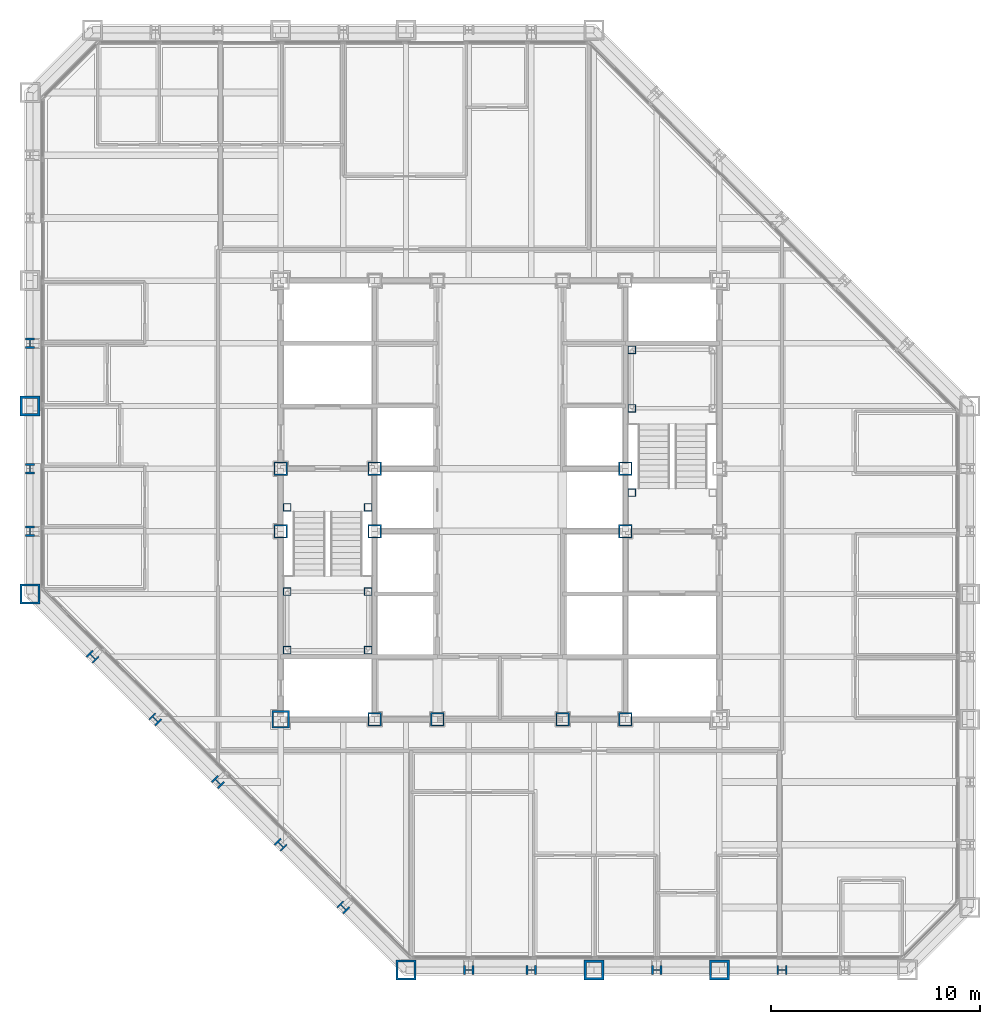
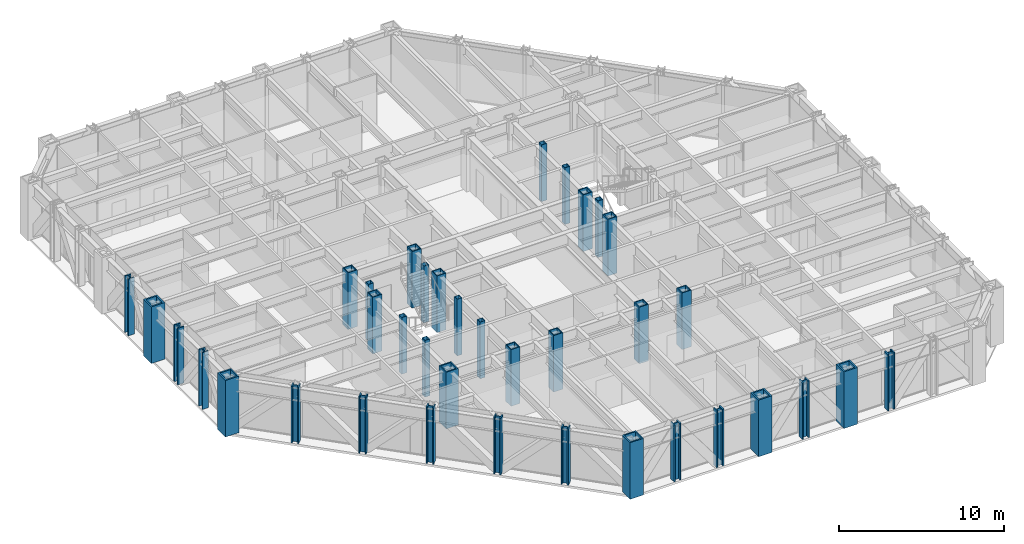
# One storey, part 1 of 16: 37 columns.
"""IFC4 building model written with IfcOpenShell, lengths in metres."""

from ifc_helpers import new_model, si_unit, direction, frame, origin, origin_2d, place, context, subcontext, project, spatial, hollow_rectangle, i_section, extrude, material, material_profile, profile_set, type_object, element, save


model = new_model("IFC4")

# Units and contexts
model_context = context("Model", 3, precision=1e-05, world=origin(), true_north=direction((0.0, 1.0)))
body_context = subcontext(model_context, "Body", "Model", "MODEL_VIEW")
ifc_project = project(units=[si_unit("LENGTHUNIT", "METRE"), si_unit("AREAUNIT", "SQUARE_METRE"), si_unit("VOLUMEUNIT", "CUBIC_METRE"), si_unit("PLANEANGLEUNIT", "RADIAN"), si_unit("MASSUNIT", "GRAM", prefix="KILO")], contexts=[model_context])

# Site, building, storey
site_placement = place(None, origin())
site = spatial("IfcSite", under=ifc_project, at=site_placement, CompositionType="ELEMENT")
building_placement = place(site_placement, origin())
building = spatial("IfcBuilding", under=site, at=building_placement, Name="Chuquiago Exchange Tower", CompositionType="ELEMENT")
storey_placement = place(building_placement, frame((0.0, 0.0, 148.800048828125)))
storey = spatial("IfcBuildingStorey", under=building, at=storey_placement, Name="L32", CompositionType="ELEMENT", Elevation=148.800048828125)

# Columns
ifc_material_1 = material(Name="Steel ASTM A992", Category="steel")
ifc_material_profile_1 = material_profile(ifc_material_1, i_section(OverallWidth=0.431884765625, OverallDepth=0.497802734375, WebThickness=0.0556640625, FlangeThickness=0.0888671875, at=origin_2d()), Name="W14X500")
ifc_profile_set_1 = profile_set([ifc_material_profile_1], Name="Steel ASTM A992")
column_type_1 = type_object("IfcColumnType", Name="C7 W14X500", PredefinedType="COLUMN", material=ifc_profile_set_1)
for number, where, z_axis, x_axis, name in (
    (1, (21.0, 0.0, 0.0), (0.0, 0.0, 1.0), (0.0, -1.0, 0.0), "COL-L32-21_0"),
    (2, (24.0, 0.0, 0.0), (0.0, 0.0, 1.0), (0.0, -1.0, 0.0), "COL-L32-24_0"),
    (3, (30.0, 0.0, 0.0), (0.0, 0.0, 1.0), (0.0, -1.0, 0.0), "COL-L32-30_0"),
    (4, (36.0, 0.0, 0.0), (0.0, 0.0, 1.0), (0.0, -1.0, 0.0), "COL-L32-36_0"),
    (5, (0.0, 30.0, 0.0), (0.0, 0.0, 1.0), (-1.0, 0.0, 0.0), "COL-L32-0_30"),
    (6, (0.0, 24.0, 0.0), (0.0, 0.0, 1.0), (-1.0, 0.0, 0.0), "COL-L32-0_24"),
    (7, (0.0, 21.0, 0.0), (0.0, 0.0, 1.0), (-1.0, 0.0, 0.0), "COL-L32-0_21"),
):
    element("IfcColumn", number, at=place(storey_placement, frame(where, z_axis=z_axis, x_axis=x_axis)), inside=storey, type_object=column_type_1, Name=name, PredefinedType="COLUMN", context=body_context, shape_type="SweptSolid", body=[
        extrude(i_section(OverallWidth=0.431884765625, OverallDepth=0.497802734375, WebThickness=0.0556640625, FlangeThickness=0.0888671875, at=origin_2d()), origin(), (0.0, 0.0, 1.0), 4.199951171875),
    ])
ifc_material_2 = material(Name="Steel ASTM A572 Grade 50", Category="steel")
ifc_material_profile_2 = material_profile(ifc_material_2, hollow_rectangle(XDim=0.85009765625, YDim=0.85009765625, WallThickness=0.0849609375, at=origin_2d()), Name="BOX850X850X85")
ifc_profile_set_2 = profile_set([ifc_material_profile_2], Name="Steel ASTM A572 Grade 50")
column_type_2 = type_object("IfcColumnType", Name="CC6 BOX850X850X85", PredefinedType="COLUMN", material=ifc_profile_set_2)
column_placement = place(storey_placement, frame((12.0, 12.0, 0.0), z_axis=(0.0, 0.0, 1.0), x_axis=(1.0, 0.0, 0.0)))
element("IfcColumn", 8, at=column_placement, inside=storey, type_object=column_type_2, Name="CCOL-L32-12_12", PredefinedType="COLUMN", context=body_context, shape_type="SweptSolid", body=[
    extrude(hollow_rectangle(XDim=0.85009765625, YDim=0.85009765625, WallThickness=0.0849609375, at=origin_2d()), origin(), (0.0, 0.0, 1.0), 4.199951171875),
])
ifc_material_3 = material(Name="Steel ASTM A572 Grade 50", Category="steel")
ifc_material_profile_3 = material_profile(ifc_material_3, hollow_rectangle(XDim=0.64990234375, YDim=0.64990234375, WallThickness=0.06494140625, at=origin_2d()), Name="BOX650X650X65")
ifc_profile_set_3 = profile_set([ifc_material_profile_3], Name="Steel ASTM A572 Grade 50")
column_type_3 = type_object("IfcColumnType", Name="CC7 BOX650X650X65", PredefinedType="COLUMN", material=ifc_profile_set_3)
for number, where, z_axis, x_axis, name in (
    (9, (16.5, 12.0, 0.0), (0.0, 0.0, 1.0), (1.0, 0.0, 0.0), "CCOL-L32-16.5_12"),
    (10, (19.5, 12.0, 0.0), (0.0, 0.0, 1.0), (1.0, 0.0, 0.0), "CCOL-L32-19.5_12"),
    (11, (25.5, 12.0, 0.0), (0.0, 0.0, 1.0), (1.0, 0.0, 0.0), "CCOL-L32-25.5_12"),
    (12, (28.5, 12.0, 0.0), (0.0, 0.0, 1.0), (1.0, 0.0, 0.0), "CCOL-L32-28.5_12"),
    (13, (12.0, 21.0, 0.0), (0.0, 0.0, 1.0), (1.0, 0.0, 0.0), "CCOL-L32-12_21"),
    (14, (12.0, 24.0, 0.0), (0.0, 0.0, 1.0), (1.0, 0.0, 0.0), "CCOL-L32-12_24"),
    (15, (16.5, 21.0, 0.0), (0.0, 0.0, 1.0), (1.0, 0.0, 0.0), "CCOL-L32-16.5_21"),
    (16, (16.5, 24.0, 0.0), (0.0, 0.0, 1.0), (1.0, 0.0, 0.0), "CCOL-L32-16.5_24"),
    (17, (28.5, 21.0, 0.0), (0.0, 0.0, 1.0), (1.0, 0.0, 0.0), "CCOL-L32-28.5_21"),
    (18, (28.5, 24.0, 0.0), (0.0, 0.0, 1.0), (1.0, 0.0, 0.0), "CCOL-L32-28.5_24"),
):
    element("IfcColumn", number, at=place(storey_placement, frame(where, z_axis=z_axis, x_axis=x_axis)), inside=storey, type_object=column_type_3, Name=name, PredefinedType="COLUMN", context=body_context, shape_type="SweptSolid", body=[
        extrude(hollow_rectangle(XDim=0.64990234375, YDim=0.64990234375, WallThickness=0.06494140625, at=origin_2d()), origin(), (0.0, 0.0, 1.0), 4.199951171875),
    ])
ifc_material_4 = material(Name="Steel ASTM A992", Category="steel")
ifc_material_profile_4 = material_profile(ifc_material_4, i_section(OverallWidth=0.4267578125, OverallDepth=0.482666015625, WebThickness=0.05126953125, FlangeThickness=0.08154296875, at=origin_2d()), Name="W14X455")
ifc_profile_set_4 = profile_set([ifc_material_profile_4], Name="Steel ASTM A992")
column_type_4 = type_object("IfcColumnType", Name="CK6 W14X455", PredefinedType="COLUMN", material=ifc_profile_set_4)
for number, where, z_axis, x_axis, name in (
    (19, (3.0, 15.0, 0.0), (0.0, 0.0, 1.0), (-0.707106781187, -0.707106781187, 0.0), "COL-L32-3_15"),
    (20, (6.0, 12.0, 0.0), (0.0, 0.0, 1.0), (-0.707106781187, -0.707106781187, 0.0), "COL-L32-6_12"),
    (21, (9.0, 9.0, 0.0), (0.0, 0.0, 1.0), (-0.707106781187, -0.707106781187, 0.0), "COL-L32-9_9"),
    (22, (12.0, 6.0, 0.0), (0.0, 0.0, 1.0), (-0.707106781187, -0.707106781187, 0.0), "COL-L32-12_6"),
    (23, (15.0, 3.0, 0.0), (0.0, 0.0, 1.0), (-0.707106781187, -0.707106781187, 0.0), "COL-L32-15_3"),
):
    element("IfcColumn", number, at=place(storey_placement, frame(where, z_axis=z_axis, x_axis=x_axis)), inside=storey, type_object=column_type_4, Name=name, PredefinedType="COLUMN", context=body_context, shape_type="SweptSolid", body=[
        extrude(i_section(OverallWidth=0.4267578125, OverallDepth=0.482666015625, WebThickness=0.05126953125, FlangeThickness=0.08154296875, at=origin_2d()), origin(), (0.0, 0.0, 1.0), 4.199951171875),
    ])
ifc_material_5 = material(Name="Steel ASTM A572 Grade 50", Category="steel")
ifc_material_profile_5 = material_profile(ifc_material_5, hollow_rectangle(XDim=0.949951171875, YDim=0.949951171875, WallThickness=0.094970703125, at=origin_2d()), Name="BOX950X950X95")
ifc_profile_set_5 = profile_set([ifc_material_profile_5], Name="Steel ASTM A572 Grade 50")
column_type_5 = type_object("IfcColumnType", Name="CN1 BOX950X950X95", PredefinedType="COLUMN", material=ifc_profile_set_5)
for number, where, z_axis, x_axis, name in (
    (24, (18.0, 0.0, 0.0), (0.0, 0.0, 1.0), (0.0, -1.0, 0.0), "COL-L32-18_0"),
    (25, (0.0, 18.0, 0.0), (0.0, 0.0, 1.0), (-1.0, 0.0, 0.0), "COL-L32-0_18"),
):
    element("IfcColumn", number, at=place(storey_placement, frame(where, z_axis=z_axis, x_axis=x_axis)), inside=storey, type_object=column_type_5, Name=name, PredefinedType="COLUMN", context=body_context, shape_type="SweptSolid", body=[
        extrude(hollow_rectangle(XDim=0.949951171875, YDim=0.949951171875, WallThickness=0.094970703125, at=origin_2d()), origin(), (0.0, 0.0, 1.0), 4.199951171875),
    ])
ifc_material_6 = material(Name="Steel ASTM A572 Grade 42", Category="steel")
ifc_material_profile_6 = material_profile(ifc_material_6, hollow_rectangle(XDim=0.949951171875, YDim=0.949951171875, WallThickness=0.110107421875, at=origin_2d()), Name="BOX950X950X110")
ifc_profile_set_6 = profile_set([ifc_material_profile_6], Name="Steel ASTM A572 Grade 42")
column_type_6 = type_object("IfcColumnType", Name="CT1 BOX950X950X110", PredefinedType="COLUMN", material=ifc_profile_set_6)
for number, where, z_axis, x_axis, name in (
    (26, (27.0, 0.0, 0.0), (0.0, 0.0, 1.0), (0.0, -1.0, 0.0), "COL-L32-27_0"),
    (27, (33.0, 0.0, 0.0), (0.0, 0.0, 1.0), (0.0, -1.0, 0.0), "COL-L32-33_0"),
    (28, (0.0, 27.0, 0.0), (0.0, 0.0, 1.0), (-1.0, 0.0, 0.0), "COL-L32-0_27"),
):
    element("IfcColumn", number, at=place(storey_placement, frame(where, z_axis=z_axis, x_axis=x_axis)), inside=storey, type_object=column_type_6, Name=name, PredefinedType="COLUMN", context=body_context, shape_type="SweptSolid", body=[
        extrude(hollow_rectangle(XDim=0.949951171875, YDim=0.949951171875, WallThickness=0.110107421875, at=origin_2d()), origin(), (0.0, 0.0, 1.0), 4.199951171875),
    ])
ifc_material_7 = material(Name="Steel ASTM A500 Grade C", Category="steel")
ifc_material_profile_7 = material_profile(ifc_material_7, hollow_rectangle(XDim=0.355712890625, YDim=0.355712890625, WallThickness=0.0146484375, at=origin_2d()), Name="HSS14X14X5/8")
ifc_profile_set_7 = profile_set([ifc_material_profile_7], Name="Steel ASTM A500 Grade C")
column_type_7 = type_object("IfcColumnType", Name="PT2 HSS14X14X5/8", PredefinedType="COLUMN", material=ifc_profile_set_7)
for number, where, z_axis, x_axis, name in (
    (29, (12.31005859375, 15.31005859375, 0.0), (0.0, 0.0, 1.0), (1.0, 0.0, 0.0), "Stair ST1 L32 landing post"),
    (30, (16.18994140625, 15.31005859375, 0.0), (0.0, 0.0, 1.0), (1.0, 0.0, 0.0), "Stair ST1 L32 landing post"),
    (31, (12.31005859375, 18.110107421875, 0.0), (0.0, 0.0, 1.0), (1.0, 0.0, 0.0), "Stair ST1 L32 landing post"),
    (32, (16.18994140625, 18.110107421875, 0.0), (0.0, 0.0, 1.0), (1.0, 0.0, 0.0), "Stair ST1 L32 landing post"),
    (33, (12.31005859375, 22.14990234375, 0.0), (0.0, 0.0, 1.0), (1.0, 0.0, 0.0), "Stair ST1 L32 landing post"),
    (34, (16.18994140625, 22.14990234375, 0.0), (0.0, 0.0, 1.0), (1.0, 0.0, 0.0), "Stair ST1 L32 landing post"),
    (35, (28.81005859375, 29.68994140625, 0.0), (0.0, 0.0, 1.0), (1.0, 0.0, 0.0), "Stair ST2 L32 landing post"),
    (36, (28.81005859375, 26.889892578125, 0.0), (0.0, 0.0, 1.0), (1.0, 0.0, 0.0), "Stair ST2 L32 landing post"),
    (37, (28.81005859375, 22.85009765625, 0.0), (0.0, 0.0, 1.0), (1.0, 0.0, 0.0), "Stair ST2 L32 landing post"),
):
    element("IfcColumn", number, at=place(storey_placement, frame(where, z_axis=z_axis, x_axis=x_axis)), inside=storey, type_object=column_type_7, Name=name, PredefinedType="COLUMN", context=body_context, shape_type="SweptSolid", body=[
        extrude(hollow_rectangle(XDim=0.355712890625, YDim=0.355712890625, WallThickness=0.0146484375, at=origin_2d()), origin(), (0.0, 0.0, 1.0), 4.199951171875),
    ])

save(model, "model.ifc")
